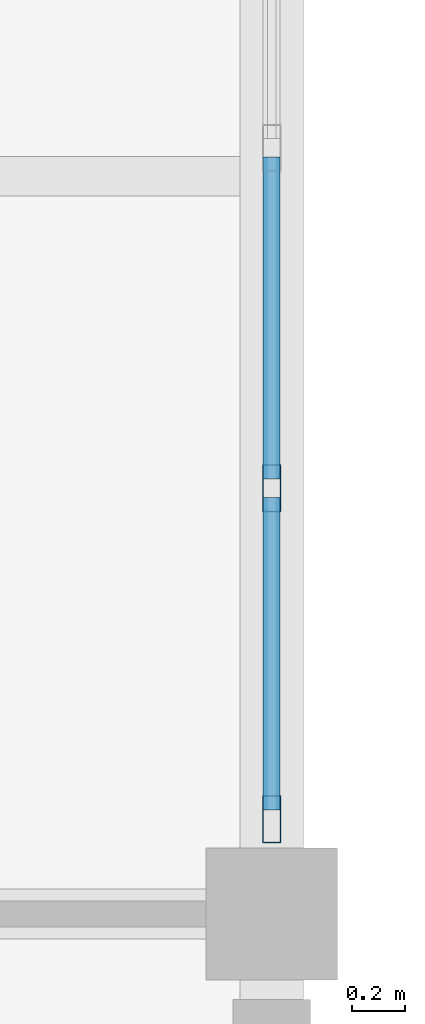
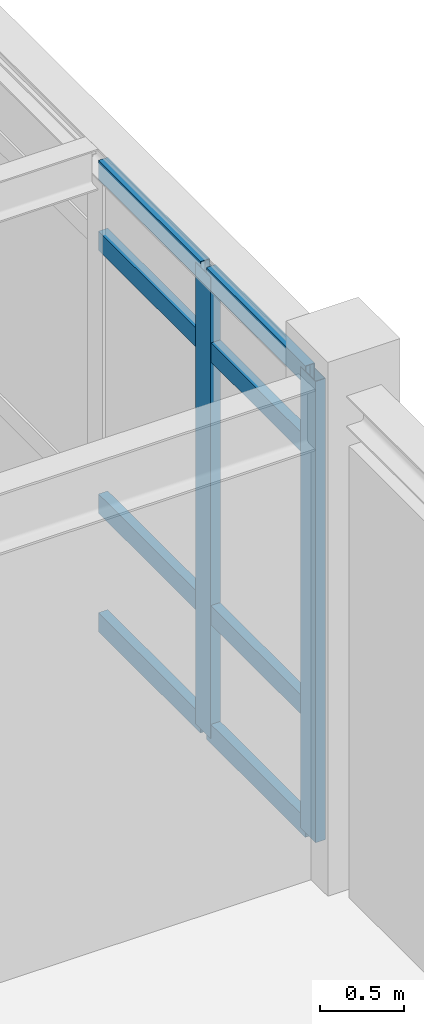
# One storey, part 40 of 86: 10 members, 1 element without a shape of its own.
"""IFC4 building model written with IfcOpenShell, lengths in metres."""

from ifc_helpers import new_model, si_unit, direction, frame, origin, origin_2d, place, context, subcontext, project, spatial, hollow_rectangle, extrude, material, layer, layer_set, material_profile, profile_set, type_object, element, aggregate, save


model = new_model("IFC4")

# Units and contexts
model_context = context("Model", 3, precision=1e-05, world=origin(), true_north=direction((0.0, 1.0)))
body_context = subcontext(model_context, "Body", "Model", "MODEL_VIEW")
ifc_project = project(units=[si_unit("LENGTHUNIT", "METRE"), si_unit("AREAUNIT", "SQUARE_METRE"), si_unit("VOLUMEUNIT", "CUBIC_METRE"), si_unit("PLANEANGLEUNIT", "RADIAN"), si_unit("MASSUNIT", "GRAM", prefix="KILO")], contexts=[model_context])

# Site, building, storey
site_placement = place(None, origin())
site = spatial("IfcSite", under=ifc_project, at=site_placement, CompositionType="ELEMENT")
building_placement = place(site_placement, origin())
building = spatial("IfcBuilding", under=site, at=building_placement, Name="Bramfleet General Hospital", CompositionType="ELEMENT")
storey_placement = place(building_placement, frame((0.0, 0.0, 18.60009765625)))
storey = spatial("IfcBuildingStorey", under=building, at=storey_placement, Name="L04", CompositionType="ELEMENT", Elevation=18.60009765625)

# Curtain wall, members
ifc_material_1 = material(Name="Anodised aluminium and low-E triple glazing", Category="aluminium")
ifc_layer = layer(ifc_material_1, 0.179931640625, Name="CWT-CW-10")
ifc_layer_set = layer_set([ifc_layer], Name="Anodised aluminium and low-E triple glazing")
curtain_wall_type = type_object("IfcCurtainWallType", Name="CWT-CW-10", PredefinedType="USERDEFINED", material=ifc_layer_set)
curtain_wall_placement = place(storey_placement, origin())
curtain_wall = element("IfcCurtainWall", 1, at=curtain_wall_placement, inside=storey, type_object=curtain_wall_type, Name="L04 Curtain Wall 190", ObjectType="Stick curtain wall", PredefinedType="USERDEFINED")
ifc_material_2 = material(Name="Anodised aluminium EN AW-6060", Category="aluminium")
ifc_material_profile_1 = material_profile(ifc_material_2, hollow_rectangle(XDim=0.070068359375, YDim=0.179931640625, WallThickness=0.00390625, at=origin_2d()), Name="ALU 180x70x4.0")
ifc_profile_set_1 = profile_set([ifc_material_profile_1], Name="Anodised aluminium EN AW-6060")
member_type_1 = type_object("IfcMemberType", Name="CWM-ALU180", PredefinedType="MULLION", material=ifc_profile_set_1)
member_1_placement = place(storey_placement, frame((168.0, 102.416748046875, 0.0), z_axis=(0.0, 0.0, 1.0), x_axis=(1.0, 0.0, 0.0)))
member_1 = element("IfcMember", 2, at=member_1_placement, type_object=member_type_1, Name="CW-10 mullion 6", PredefinedType="MULLION", context=body_context, shape_type="SweptSolid", body=[
    extrude(hollow_rectangle(XDim=0.070068359375, YDim=0.179931640625, WallThickness=0.00390625, at=origin_2d()), origin(), (0.0, 0.0, 1.0), 3.369873046875),
])
member_2_placement = place(storey_placement, frame((168.0, 101.159912109375, 0.0), z_axis=(0.0, 0.0, 1.0), x_axis=(1.0, 0.0, 0.0)))
member_2 = element("IfcMember", 3, at=member_2_placement, type_object=member_type_1, Name="CW-10 mullion 7", PredefinedType="MULLION", context=body_context, shape_type="SweptSolid", body=[
    extrude(hollow_rectangle(XDim=0.070068359375, YDim=0.179931640625, WallThickness=0.00390625, at=origin_2d()), origin(), (0.0, 0.0, 1.0), 3.369873046875),
])
ifc_material_profile_2 = material_profile(ifc_material_2, hollow_rectangle(XDim=0.06494140625, YDim=0.139892578125, WallThickness=0.00390625, at=origin_2d()), Name="ALU 140x65x4.0")
ifc_profile_set_2 = profile_set([ifc_material_profile_2], Name="Anodised aluminium EN AW-6060")
member_type_2 = type_object("IfcMemberType", Name="CWT-ALU140", PredefinedType="USERDEFINED", material=ifc_profile_set_2)
member_3_placement = place(storey_placement, frame((168.0, 103.67333984375, 0.032470703125), z_axis=(0.0, -1.0, 0.0), x_axis=(1.0, 0.0, 0.0)))
member_3 = element("IfcMember", 4, at=member_3_placement, type_object=member_type_2, Name="CW-10 transom 5.1", ObjectType="TRANSOM", PredefinedType="USERDEFINED", context=body_context, shape_type="SweptSolid", body=[
    extrude(hollow_rectangle(XDim=0.06494140625, YDim=0.139892578125, WallThickness=0.00390625, at=origin_2d()), origin(), (0.0, 0.0, 1.0), 1.2216796875),
])
member_4_placement = place(storey_placement, frame((168.0, 103.67333984375, 0.89990234375), z_axis=(0.0, -1.0, 0.0), x_axis=(1.0, 0.0, 0.0)))
member_4 = element("IfcMember", 5, at=member_4_placement, type_object=member_type_2, Name="CW-10 transom 5.2", ObjectType="TRANSOM", PredefinedType="USERDEFINED", context=body_context, shape_type="SweptSolid", body=[
    extrude(hollow_rectangle(XDim=0.06494140625, YDim=0.139892578125, WallThickness=0.00390625, at=origin_2d()), origin(), (0.0, 0.0, 1.0), 1.2216796875),
])
member_5_placement = place(storey_placement, frame((168.0, 103.67333984375, 2.81982421875), z_axis=(0.0, -1.0, 0.0), x_axis=(1.0, 0.0, 0.0)))
member_5 = element("IfcMember", 6, at=member_5_placement, type_object=member_type_2, Name="CW-10 transom 5.3", ObjectType="TRANSOM", PredefinedType="USERDEFINED", context=body_context, shape_type="SweptSolid", body=[
    extrude(hollow_rectangle(XDim=0.06494140625, YDim=0.139892578125, WallThickness=0.00390625, at=origin_2d()), origin(), (0.0, 0.0, 1.0), 1.2216796875),
])
member_6_placement = place(storey_placement, frame((168.0, 103.67333984375, 3.33740234375), z_axis=(0.0, -1.0, 0.0), x_axis=(1.0, 0.0, 0.0)))
member_6 = element("IfcMember", 7, at=member_6_placement, type_object=member_type_2, Name="CW-10 transom 5.4", ObjectType="TRANSOM", PredefinedType="USERDEFINED", context=body_context, shape_type="SweptSolid", body=[
    extrude(hollow_rectangle(XDim=0.06494140625, YDim=0.139892578125, WallThickness=0.00390625, at=origin_2d()), origin(), (0.0, 0.0, 1.0), 1.2216796875),
])
member_7_placement = place(storey_placement, frame((168.0, 102.381591796875, 0.032470703125), z_axis=(0.0, -1.0, 0.0), x_axis=(1.0, 0.0, 0.0)))
member_7 = element("IfcMember", 8, at=member_7_placement, type_object=member_type_2, Name="CW-10 transom 6.1", ObjectType="TRANSOM", PredefinedType="USERDEFINED", context=body_context, shape_type="SweptSolid", body=[
    extrude(hollow_rectangle(XDim=0.06494140625, YDim=0.139892578125, WallThickness=0.00390625, at=origin_2d()), origin(), (0.0, 0.0, 1.0), 1.1865234375),
])
member_8_placement = place(storey_placement, frame((168.0, 102.381591796875, 0.89990234375), z_axis=(0.0, -1.0, 0.0), x_axis=(1.0, 0.0, 0.0)))
member_8 = element("IfcMember", 9, at=member_8_placement, type_object=member_type_2, Name="CW-10 transom 6.2", ObjectType="TRANSOM", PredefinedType="USERDEFINED", context=body_context, shape_type="SweptSolid", body=[
    extrude(hollow_rectangle(XDim=0.06494140625, YDim=0.139892578125, WallThickness=0.00390625, at=origin_2d()), origin(), (0.0, 0.0, 1.0), 1.1865234375),
])
member_9_placement = place(storey_placement, frame((168.0, 102.381591796875, 2.81982421875), z_axis=(0.0, -1.0, 0.0), x_axis=(1.0, 0.0, 0.0)))
member_9 = element("IfcMember", 10, at=member_9_placement, type_object=member_type_2, Name="CW-10 transom 6.3", ObjectType="TRANSOM", PredefinedType="USERDEFINED", context=body_context, shape_type="SweptSolid", body=[
    extrude(hollow_rectangle(XDim=0.06494140625, YDim=0.139892578125, WallThickness=0.00390625, at=origin_2d()), origin(), (0.0, 0.0, 1.0), 1.1865234375),
])
member_10_placement = place(storey_placement, frame((168.0, 102.381591796875, 3.33740234375), z_axis=(0.0, -1.0, 0.0), x_axis=(1.0, 0.0, 0.0)))
member_10 = element("IfcMember", 11, at=member_10_placement, type_object=member_type_2, Name="CW-10 transom 6.4", ObjectType="TRANSOM", PredefinedType="USERDEFINED", context=body_context, shape_type="SweptSolid", body=[
    extrude(hollow_rectangle(XDim=0.06494140625, YDim=0.139892578125, WallThickness=0.00390625, at=origin_2d()), origin(), (0.0, 0.0, 1.0), 1.1865234375),
])
aggregate(curtain_wall, [member_1, member_2, member_3, member_4, member_5, member_6, member_7, member_8, member_9, member_10])

save(model, "model.ifc")
